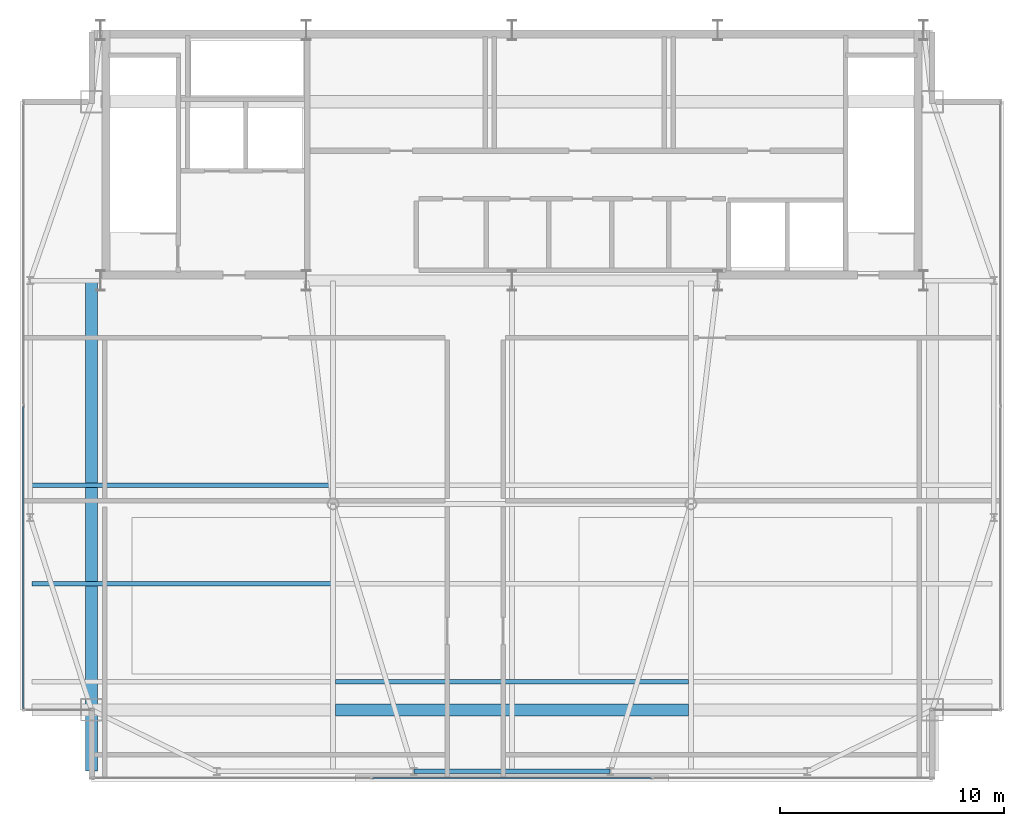
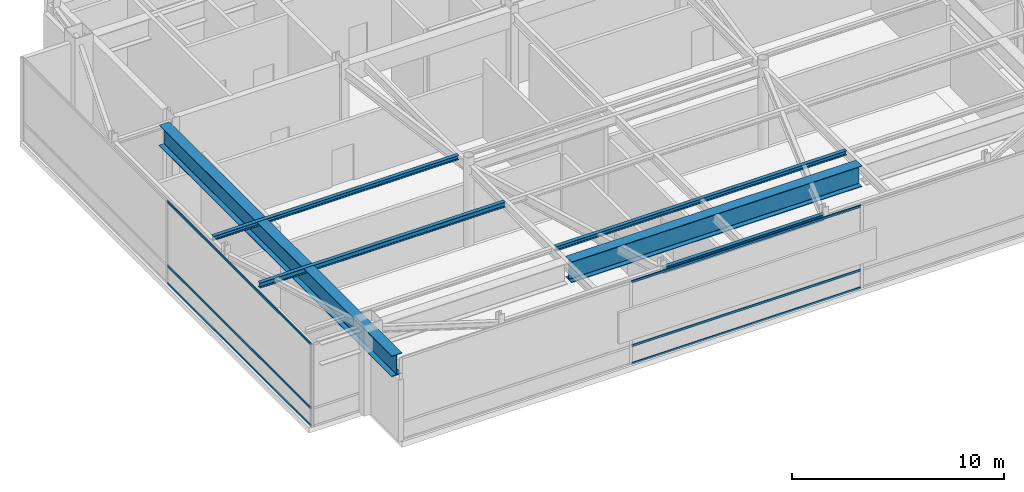
# One storey, part 7 of 20: 6 beams, 6 members, 2 elements without a shape of their own.
"""IFC4 building model written with IfcOpenShell, lengths in metres."""

from ifc_helpers import new_model, si_unit, direction, frame, origin, origin_2d, place, context, subcontext, project, spatial, hollow_rectangle, i_section, extrude, source, transform, mapped, material, layer, layer_set, material_profile, profile_set, type_object, type_shapes, element, aggregate, save


model = new_model("IFC4")

# Units and contexts
model_context = context("Model", 3, precision=1e-05, world=origin(), true_north=direction((0.0, 1.0)))
body_context = subcontext(model_context, "Body", "Model", "MODEL_VIEW")
ifc_project = project(units=[si_unit("LENGTHUNIT", "METRE"), si_unit("AREAUNIT", "SQUARE_METRE"), si_unit("VOLUMEUNIT", "CUBIC_METRE"), si_unit("PLANEANGLEUNIT", "RADIAN"), si_unit("MASSUNIT", "GRAM", prefix="KILO")], contexts=[model_context])

# Site, building, storey
site_placement = place(None, origin())
site = spatial("IfcSite", under=ifc_project, at=site_placement, CompositionType="ELEMENT")
building_placement = place(site_placement, origin())
building = spatial("IfcBuilding", under=site, at=building_placement, Name="Varnel Quay Broadcast Tower", CompositionType="ELEMENT")
storey_placement = place(building_placement, frame((0.0, 0.0, 314.60009765625)))
storey = spatial("IfcBuildingStorey", under=building, at=storey_placement, Name="L78", CompositionType="ELEMENT", Elevation=314.60009765625)

# Beams
ifc_material_1 = material(Name="Structural Steel CSA G40.21 350W", Category="steel")
ifc_material_profile_1 = material_profile(ifc_material_1, i_section(OverallWidth=0.205078125, OverallDepth=0.35400390625, WebThickness=0.009521484375, FlangeThickness=0.016845703125, FilletRadius=0.012939453125, at=origin_2d()), Name="W360X79")
ifc_profile_set_1 = profile_set([ifc_material_profile_1], Name="Structural Steel CSA G40.21 350W")
beam_type_1 = type_object("IfcBeamType", Name="Beam_W360X79", PredefinedType="SPANDREL", material=ifc_profile_set_1)
shared_shape_1 = source(origin(), body_context, "Body", "SweptSolid", [
    extrude(i_section(OverallWidth=0.205078125, OverallDepth=0.35400390625, WebThickness=0.009521484375, FlangeThickness=0.016845703125, FilletRadius=0.012939453125, at=origin_2d()), origin(), (0.0, 0.0, 1.0), 8.759765625),
])
type_shapes(beam_type_1, [shared_shape_1])
beam_1_placement = place(storey_placement, frame((29.6201171875, 13.64990234375, 4.572998046875), z_axis=(1.0, 0.0, 0.0), x_axis=(0.0, 1.0, 0.0)))
element("IfcBeam", 1, at=beam_1_placement, inside=storey, type_object=beam_type_1, Name="L78 South Spandrel TC-S2-TC-S3", PredefinedType="SPANDREL", context=body_context, shape_type="MappedRepresentation", body=[
    mapped(shared_shape_1, transform((0.0, 0.0, 0.0), x_axis=(1.0, 0.0, 0.0), y_axis=(0.0, 1.0, 0.0), z_axis=(0.0, 0.0, 1.0), scale=1.0)),
])
ifc_material_profile_2 = material_profile(ifc_material_1, i_section(OverallWidth=0.201904296875, OverallDepth=0.2470703125, WebThickness=0.00732421875, FlangeThickness=0.010986328125, FilletRadius=0.010986328125, at=origin_2d()), Name="W250X49")
ifc_profile_set_2 = profile_set([ifc_material_profile_2], Name="Structural Steel CSA G40.21 350W")
beam_type_2 = type_object("IfcBeamType", Name="Beam_W250X49", PredefinedType="JOIST", material=ifc_profile_set_2)
shared_shape_2 = source(origin(), body_context, "Body", "SweptSolid", [
    extrude(i_section(OverallWidth=0.201904296875, OverallDepth=0.2470703125, WebThickness=0.00732421875, FlangeThickness=0.010986328125, FilletRadius=0.010986328125, at=origin_2d()), origin(), (0.0, 0.0, 1.0), 13.351318359375),
])
beam_2_placement = place(storey_placement, frame((12.547607421875, 26.449951171875, 4.62646484375), z_axis=(1.0, 0.0, 0.0), x_axis=(0.0, 1.0, 0.0)))
element("IfcBeam", 2, at=beam_2_placement, inside=storey, type_object=beam_type_2, Name="L78 West Floor Joist 3", PredefinedType="JOIST", context=body_context, shape_type="MappedRepresentation", body=[
    mapped(shared_shape_2, transform((0.0, 0.0, 0.0), x_axis=(1.0, 0.0, 0.0), y_axis=(0.0, 1.0, 0.0), z_axis=(0.0, 0.0, 1.0), scale=1.0)),
])
shared_shape_3 = source(origin(), body_context, "Body", "SweptSolid", [
    extrude(i_section(OverallWidth=0.201904296875, OverallDepth=0.2470703125, WebThickness=0.00732421875, FlangeThickness=0.010986328125, FilletRadius=0.010986328125, at=origin_2d()), origin(), (0.0, 0.0, 1.0), 15.7978515625),
])
type_shapes(beam_type_2, [shared_shape_2, shared_shape_3])
beam_3_placement = place(storey_placement, frame((26.10107421875, 17.64990234375, 4.62646484375), z_axis=(1.0, 0.0, 0.0), x_axis=(0.0, 1.0, 0.0)))
element("IfcBeam", 3, at=beam_3_placement, inside=storey, type_object=beam_type_2, Name="L78 Central Floor Joist 1", PredefinedType="JOIST", context=body_context, shape_type="MappedRepresentation", body=[
    mapped(shared_shape_3, transform((0.0, 0.0, 0.0), x_axis=(1.0, 0.0, 0.0), y_axis=(0.0, 1.0, 0.0), z_axis=(0.0, 0.0, 1.0), scale=1.0)),
])
ifc_material_profile_3 = material_profile(ifc_material_1, i_section(OverallWidth=0.202880859375, OverallDepth=0.302978515625, WebThickness=0.007568359375, FlangeThickness=0.01318359375, FilletRadius=0.011962890625, at=origin_2d()), Name="W310X60")
ifc_profile_set_3 = profile_set([ifc_material_profile_3], Name="Structural Steel CSA G40.21 350W")
beam_type_3 = type_object("IfcBeamType", Name="Beam_W310X60", PredefinedType="JOIST", material=ifc_profile_set_3)
shared_shape_4 = source(origin(), body_context, "Body", "SweptSolid", [
    extrude(i_section(OverallWidth=0.202880859375, OverallDepth=0.302978515625, WebThickness=0.007568359375, FlangeThickness=0.01318359375, FilletRadius=0.011962890625, at=origin_2d()), origin(), (0.0, 0.0, 1.0), 13.351318359375),
])
type_shapes(beam_type_3, [shared_shape_4])
beam_4_placement = place(storey_placement, frame((12.547607421875, 22.050048828125, 4.598388671875), z_axis=(1.0, 0.0, 0.0), x_axis=(0.0, 1.0, 0.0)))
element("IfcBeam", 4, at=beam_4_placement, inside=storey, type_object=beam_type_3, Name="L78 West Floor Joist 2", PredefinedType="JOIST", context=body_context, shape_type="MappedRepresentation", body=[
    mapped(shared_shape_4, transform((0.0, 0.0, 0.0), x_axis=(1.0, 0.0, 0.0), y_axis=(0.0, 1.0, 0.0), z_axis=(0.0, 0.0, 1.0), scale=1.0)),
])
ifc_material_2 = material(Name="Structural Steel CSA G40.21 350WT", Category="steel")
ifc_material_profile_4 = material_profile(ifc_material_2, i_section(OverallWidth=0.550048828125, OverallDepth=1.199951171875, WebThickness=0.02001953125, FlangeThickness=0.034912109375, FilletRadius=0.02001953125, at=origin_2d()), Name="WWF1200X487")
ifc_profile_set_4 = profile_set([ifc_material_profile_4], Name="Structural Steel CSA G40.21 350WT")
beam_type_4 = type_object("IfcBeamType", Name="Girder_WWF1200X487", PredefinedType="BEAM", material=ifc_profile_set_4)
shared_shape_5 = source(origin(), body_context, "Body", "SweptSolid", [
    extrude(i_section(OverallWidth=0.550048828125, OverallDepth=1.199951171875, WebThickness=0.02001953125, FlangeThickness=0.034912109375, FilletRadius=0.02001953125, at=origin_2d()), origin(), (0.0, 0.0, 1.0), 21.91015625),
])
beam_5_placement = place(storey_placement, frame((15.199951171875, 13.669921875, 4.14990234375), z_axis=(0.0, 1.0, 0.0), x_axis=(-1.0, 0.0, 0.0)))
element("IfcBeam", 5, at=beam_5_placement, inside=storey, type_object=beam_type_4, Name="L78 Crown Ring Support W", PredefinedType="BEAM", context=body_context, shape_type="MappedRepresentation", body=[
    mapped(shared_shape_5, transform((0.0, 0.0, 0.0), x_axis=(1.0, 0.0, 0.0), y_axis=(0.0, 1.0, 0.0), z_axis=(0.0, 0.0, 1.0), scale=1.0)),
])
shared_shape_6 = source(origin(), body_context, "Body", "SweptSolid", [
    extrude(i_section(OverallWidth=0.550048828125, OverallDepth=1.199951171875, WebThickness=0.02001953125, FlangeThickness=0.034912109375, FilletRadius=0.02001953125, at=origin_2d()), origin(), (0.0, 0.0, 1.0), 15.77978515625),
])
type_shapes(beam_type_4, [shared_shape_5, shared_shape_6])
beam_6_placement = place(storey_placement, frame((26.110107421875, 16.39990234375, 4.14990234375), z_axis=(1.0, 0.0, 0.0), x_axis=(0.0, 1.0, 0.0)))
element("IfcBeam", 6, at=beam_6_placement, inside=storey, type_object=beam_type_4, Name="L78 Crown Ring Support S2", PredefinedType="BEAM", context=body_context, shape_type="MappedRepresentation", body=[
    mapped(shared_shape_6, transform((0.0, 0.0, 0.0), x_axis=(1.0, 0.0, 0.0), y_axis=(0.0, 1.0, 0.0), z_axis=(0.0, 0.0, 1.0), scale=1.0)),
])

# Curtain wall, members
ifc_material_3 = material(Name="Anodised Bronze Aluminium 6063-T6", Category="aluminium")
ifc_layer = layer(ifc_material_3, 0.18994140625, Name="Anodised Bronze Aluminium 6063-T6")
ifc_layer_set = layer_set([ifc_layer], Name="Anodised Bronze Aluminium 6063-T6")
curtain_wall_type = type_object("IfcCurtainWallType", Name="CW_UpperTower", PredefinedType="NOTDEFINED", material=ifc_layer_set)
curtain_wall_1_placement = place(storey_placement, origin())
curtain_wall_1 = element("IfcCurtainWall", 7, at=curtain_wall_1_placement, inside=storey, type_object=curtain_wall_type, Name="L78 West Unitised Curtain Wall", PredefinedType="NOTDEFINED")
ifc_material_profile_5 = material_profile(ifc_material_3, hollow_rectangle(XDim=0.06005859375, YDim=0.125, WallThickness=0.0029296875, at=origin_2d()), Name="ALU60X125X3")
ifc_profile_set_5 = profile_set([ifc_material_profile_5], Name="Anodised Bronze Aluminium 6063-T6")
member_type = type_object("IfcMemberType", Name="Tran_CWS-03", PredefinedType="USERDEFINED", material=ifc_profile_set_5)
shared_shape_7 = source(origin(), body_context, "Body", "SweptSolid", [
    extrude(hollow_rectangle(XDim=0.06005859375, YDim=0.125, WallThickness=0.0029296875, at=origin_2d()), origin(), (0.0, 0.0, 1.0), 13.50244140625),
])
member_1_placement = place(storey_placement, frame((12.14990234375, 16.465087890625, 0.02978515625), z_axis=(0.0, 1.0, 0.0), x_axis=(-1.0, 0.0, 0.0)))
member_1 = element("IfcMember", 8, at=member_1_placement, type_object=member_type, Name="CWS-03 transom 1.1", ObjectType="TRANSOM", PredefinedType="USERDEFINED", context=body_context, shape_type="MappedRepresentation", body=[
    mapped(shared_shape_7, transform((0.0, 0.0, 0.0), x_axis=(1.0, 0.0, 0.0), y_axis=(0.0, 1.0, 0.0), z_axis=(0.0, 0.0, 1.0), scale=1.0)),
])
member_2_placement = place(storey_placement, frame((12.14990234375, 16.465087890625, 1.0498046875), z_axis=(0.0, 1.0, 0.0), x_axis=(-1.0, 0.0, 0.0)))
member_2 = element("IfcMember", 9, at=member_2_placement, type_object=member_type, Name="CWS-03 transom 1.2", ObjectType="TRANSOM", PredefinedType="USERDEFINED", context=body_context, shape_type="MappedRepresentation", body=[
    mapped(shared_shape_7, transform((0.0, 0.0, 0.0), x_axis=(1.0, 0.0, 0.0), y_axis=(0.0, 1.0, 0.0), z_axis=(0.0, 0.0, 1.0), scale=1.0)),
])
member_3_placement = place(storey_placement, frame((12.14990234375, 16.465087890625, 4.719970703125), z_axis=(0.0, 1.0, 0.0), x_axis=(-1.0, 0.0, 0.0)))
member_3 = element("IfcMember", 10, at=member_3_placement, type_object=member_type, Name="CWS-03 transom 1.3", ObjectType="TRANSOM", PredefinedType="USERDEFINED", context=body_context, shape_type="MappedRepresentation", body=[
    mapped(shared_shape_7, transform((0.0, 0.0, 0.0), x_axis=(1.0, 0.0, 0.0), y_axis=(0.0, 1.0, 0.0), z_axis=(0.0, 0.0, 1.0), scale=1.0)),
])
aggregate(curtain_wall_1, [member_1, member_2, member_3])

curtain_wall_2_placement = place(storey_placement, origin())
curtain_wall_2 = element("IfcCurtainWall", 11, at=curtain_wall_2_placement, inside=storey, type_object=curtain_wall_type, Name="L78 South Unitised Curtain Wall 1", PredefinedType="NOTDEFINED")
shared_shape_8 = source(origin(), body_context, "Body", "SweptSolid", [
    extrude(hollow_rectangle(XDim=0.06005859375, YDim=0.125, WallThickness=0.0029296875, at=origin_2d()), origin(), (0.0, 0.0, 1.0), 12.46826171875),
])
type_shapes(member_type, [shared_shape_7, shared_shape_8])
member_4_placement = place(storey_placement, frame((27.765869140625, 13.35009765625, 0.02978515625), z_axis=(1.0, 0.0, 0.0), x_axis=(0.0, 1.0, 0.0)))
member_4 = element("IfcMember", 12, at=member_4_placement, type_object=member_type, Name="CWS-03 transom 2.1", ObjectType="TRANSOM", PredefinedType="USERDEFINED", context=body_context, shape_type="MappedRepresentation", body=[
    mapped(shared_shape_8, transform((0.0, 0.0, 0.0), x_axis=(1.0, 0.0, 0.0), y_axis=(0.0, 1.0, 0.0), z_axis=(0.0, 0.0, 1.0), scale=1.0)),
])
member_5_placement = place(storey_placement, frame((27.765869140625, 13.35009765625, 1.0498046875), z_axis=(1.0, 0.0, 0.0), x_axis=(0.0, 1.0, 0.0)))
member_5 = element("IfcMember", 13, at=member_5_placement, type_object=member_type, Name="CWS-03 transom 2.2", ObjectType="TRANSOM", PredefinedType="USERDEFINED", context=body_context, shape_type="MappedRepresentation", body=[
    mapped(shared_shape_8, transform((0.0, 0.0, 0.0), x_axis=(1.0, 0.0, 0.0), y_axis=(0.0, 1.0, 0.0), z_axis=(0.0, 0.0, 1.0), scale=1.0)),
])
member_6_placement = place(storey_placement, frame((27.765869140625, 13.35009765625, 4.719970703125), z_axis=(1.0, 0.0, 0.0), x_axis=(0.0, 1.0, 0.0)))
member_6 = element("IfcMember", 14, at=member_6_placement, type_object=member_type, Name="CWS-03 transom 2.3", ObjectType="TRANSOM", PredefinedType="USERDEFINED", context=body_context, shape_type="MappedRepresentation", body=[
    mapped(shared_shape_8, transform((0.0, 0.0, 0.0), x_axis=(1.0, 0.0, 0.0), y_axis=(0.0, 1.0, 0.0), z_axis=(0.0, 0.0, 1.0), scale=1.0)),
])
aggregate(curtain_wall_2, [member_4, member_5, member_6])

save(model, "model.ifc")
